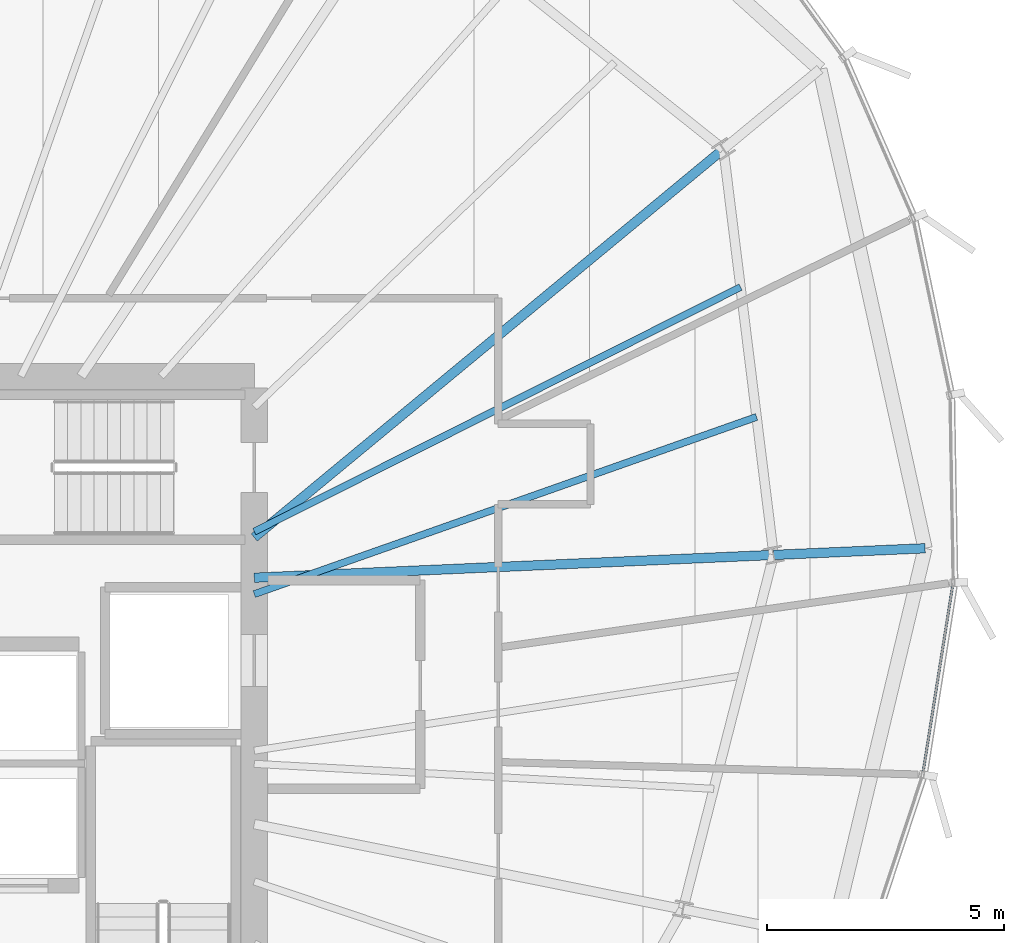
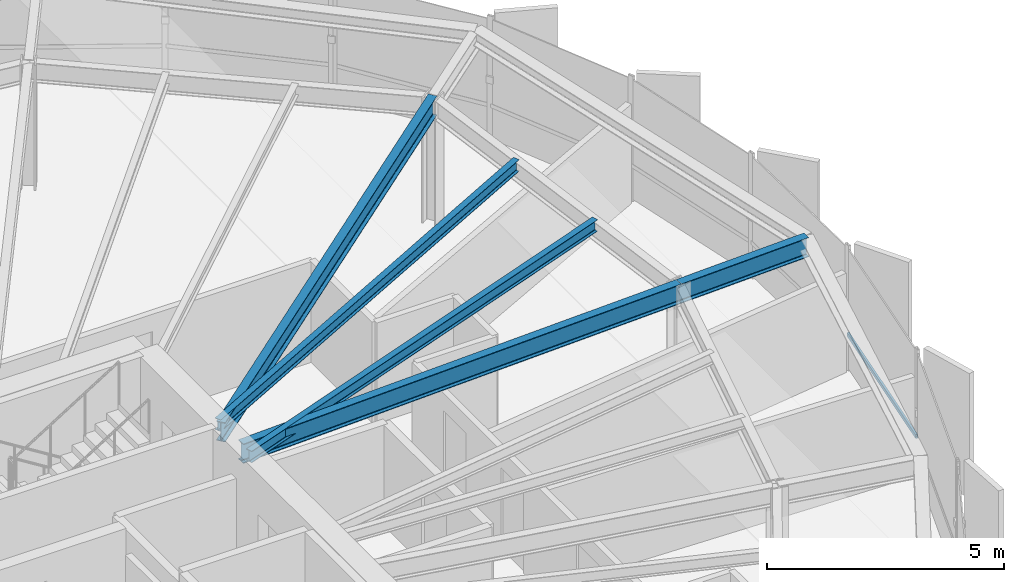
# One storey, part 17 of 35: 5 beams, 1 member, 1 element without a shape of its own.
"""IFC4 building model written with IfcOpenShell, lengths in metres."""

from ifc_helpers import new_model, si_unit, direction, frame, origin, origin_2d, place, context, subcontext, project, spatial, hollow_rectangle, i_section, extrude, source, transform, mapped, material, layer, layer_set, material_profile, profile_set, type_object, element, aggregate, save


model = new_model("IFC4")

# Units and contexts
model_context = context("Model", 3, precision=1e-05, world=origin(), true_north=direction((0.0, 1.0)))
body_context = subcontext(model_context, "Body", "Model", "MODEL_VIEW")
ifc_project = project(units=[si_unit("LENGTHUNIT", "METRE"), si_unit("AREAUNIT", "SQUARE_METRE"), si_unit("VOLUMEUNIT", "CUBIC_METRE"), si_unit("PLANEANGLEUNIT", "RADIAN"), si_unit("MASSUNIT", "GRAM", prefix="KILO"), si_unit("THERMODYNAMICTEMPERATUREUNIT", "KELVIN")], contexts=[model_context])

# Site, building, storey
site_placement = place(None, origin())
site = spatial("IfcSite", under=ifc_project, at=site_placement, CompositionType="ELEMENT")
building_placement = place(site_placement, origin())
building = spatial("IfcBuilding", under=site, at=building_placement, Name="Kethvar Cultural Tower", CompositionType="ELEMENT")
storey_placement = place(building_placement, frame((0.0, 0.0, 204.39990234375)))
storey = spatial("IfcBuildingStorey", under=building, at=storey_placement, Name="L53", CompositionType="ELEMENT", Elevation=204.39990234375)

# Beams
ifc_material_1 = material(Name="Steel S355J2", Category="steel")
ifc_material_profile_1 = material_profile(ifc_material_1, i_section(OverallWidth=0.199951171875, OverallDepth=0.5, WebThickness=0.01025390625, FlangeThickness=0.01611328125, FilletRadius=0.02099609375, at=origin_2d()), Name="Steel S355J2 — IPE500")
ifc_profile_set_1 = profile_set([ifc_material_profile_1], Name="Steel S355J2 — IPE500")
beam_type_1 = type_object("IfcBeamType", Name="BM-IPE500", PredefinedType="BEAM", material=ifc_profile_set_1)
shared_shape_1 = source(origin(), body_context, "Body", "SweptSolid", [
    extrude(i_section(OverallWidth=0.199951171875, OverallDepth=0.5, WebThickness=0.01025390625, FlangeThickness=0.01611328125, FilletRadius=0.02099609375, at=origin_2d()), origin(), (0.0, 0.0, 1.0), 10.974365234375),
])
beam_1_placement = place(storey_placement, frame((55.60009765625, 31.25, 3.008056640625), z_axis=(0.999038235064, 0.043847518511, 0.0), x_axis=(-0.043847518511, 0.999038235064, 0.0)))
element("IfcBeam", 1, at=beam_1_placement, inside=storey, type_object=beam_type_1, Name="L53 Primary Radial Beam RB-01", PredefinedType="BEAM", context=body_context, shape_type="MappedRepresentation", body=[
    mapped(shared_shape_1, transform((0.0, 0.0, 0.0), scale=1.0)),
])
shared_shape_2 = source(origin(), body_context, "Body", "SweptSolid", [
    extrude(i_section(OverallWidth=0.199951171875, OverallDepth=0.5, WebThickness=0.01025390625, FlangeThickness=0.01611328125, FilletRadius=0.02099609375, at=origin_2d()), origin(), (0.0, 0.0, 1.0), 3.2001953125),
])
beam_2_placement = place(storey_placement, frame((66.56396484375, 31.731201171875, 3.008056640625), z_axis=(0.999037352633, 0.043867619531, 0.0), x_axis=(-0.043867619531, 0.999037352633, 0.0)))
element("IfcBeam", 2, at=beam_2_placement, inside=storey, type_object=beam_type_1, Name="L53 Perimeter Cantilever Beam RC-01", PredefinedType="BEAM", context=body_context, shape_type="MappedRepresentation", body=[
    mapped(shared_shape_2, transform((0.0, 0.0, 0.0), scale=1.0)),
])
shared_shape_3 = source(origin(), body_context, "Body", "SweptSolid", [
    extrude(i_section(OverallWidth=0.199951171875, OverallDepth=0.5, WebThickness=0.01025390625, FlangeThickness=0.01611328125, FilletRadius=0.02099609375, at=origin_2d()), origin(), (0.0, 0.0, 1.0), 12.8564453125),
])
beam_3_placement = place(storey_placement, frame((55.60009765625, 32.10009765625, 3.008056640625), z_axis=(0.770354115625, 0.637616292561, 0.0), x_axis=(-0.637616292561, 0.770354115625, 0.0)))
element("IfcBeam", 3, at=beam_3_placement, inside=storey, type_object=beam_type_1, Name="L53 Primary Radial Beam RB-02", PredefinedType="BEAM", context=body_context, shape_type="MappedRepresentation", body=[
    mapped(shared_shape_3, transform((0.0, 0.0, 0.0), scale=1.0)),
])
ifc_material_profile_2 = material_profile(ifc_material_1, i_section(OverallWidth=0.14990234375, OverallDepth=0.300048828125, WebThickness=0.007080078125, FlangeThickness=0.0107421875, FilletRadius=0.014892578125, at=origin_2d()), Name="Steel S355J2 — IPE300")
ifc_profile_set_2 = profile_set([ifc_material_profile_2], Name="Steel S355J2 — IPE300")
beam_type_2 = type_object("IfcBeamType", Name="BM-J300", PredefinedType="JOIST", material=ifc_profile_set_2)
shared_shape_4 = source(origin(), body_context, "Body", "SweptSolid", [
    extrude(i_section(OverallWidth=0.14990234375, OverallDepth=0.300048828125, WebThickness=0.007080078125, FlangeThickness=0.0107421875, FilletRadius=0.014892578125, at=origin_2d()), origin(), (0.0, 0.0, 1.0), 11.24365234375),
])
beam_4_placement = place(storey_placement, frame((55.60009765625, 30.90380859375, 3.108154296875), z_axis=(0.943058059975, 0.332628164044, 0.0), x_axis=(-0.332628164044, 0.943058059975, 0.0)))
element("IfcBeam", 4, at=beam_4_placement, inside=storey, type_object=beam_type_2, Name="L53 Composite Floor Joist J-01A", PredefinedType="JOIST", context=body_context, shape_type="MappedRepresentation", body=[
    mapped(shared_shape_4, transform((0.0, 0.0, 0.0), scale=1.0)),
])
shared_shape_5 = source(origin(), body_context, "Body", "SweptSolid", [
    extrude(i_section(OverallWidth=0.14990234375, OverallDepth=0.300048828125, WebThickness=0.007080078125, FlangeThickness=0.0107421875, FilletRadius=0.014892578125, at=origin_2d()), origin(), (0.0, 0.0, 1.0), 11.48876953125),
])
beam_5_placement = place(storey_placement, frame((55.60009765625, 32.224365234375, 3.108154296875), z_axis=(0.893434724969, 0.449193045605, 0.0), x_axis=(-0.449193045605, 0.893434724969, 0.0)))
element("IfcBeam", 5, at=beam_5_placement, inside=storey, type_object=beam_type_2, Name="L53 Composite Floor Joist J-01B", PredefinedType="JOIST", context=body_context, shape_type="MappedRepresentation", body=[
    mapped(shared_shape_5, transform((0.0, 0.0, 0.0), scale=1.0)),
])

# Curtain wall, member
ifc_material_2 = material(Name="Aluminium 6063-T6", Category="aluminium")
ifc_layer = layer(ifc_material_2, 0.179931640625, Name="Aluminium 6063-T6", Category="aluminium")
ifc_layer_set = layer_set([ifc_layer], Name="Aluminium 6063-T6 (180 mm)")
curtain_wall_type = type_object("IfcCurtainWallType", Name="CW-SYS-04-Z34", PredefinedType="NOTDEFINED", material=ifc_layer_set)
curtain_wall_placement = place(storey_placement, origin())
curtain_wall = element("IfcCurtainWall", 6, at=curtain_wall_placement, inside=storey, type_object=curtain_wall_type, Name="L53 Curtain Wall Run 06", PredefinedType="NOTDEFINED")
ifc_material_profile_3 = material_profile(ifc_material_2, hollow_rectangle(XDim=0.050048828125, YDim=0.10009765625, WallThickness=0.00390625, at=origin_2d()), Name="Aluminium 6063-T6 — RHS100x50x4")
ifc_profile_set_3 = profile_set([ifc_material_profile_3], Name="Aluminium 6063-T6 — RHS100x50x4")
member_type = type_object("IfcMemberType", Name="CW-SYS-04-Z34-TRN", PredefinedType="USERDEFINED", material=ifc_profile_set_3)
shared_shape_6 = source(origin(), body_context, "Body", "SweptSolid", [
    extrude(hollow_rectangle(XDim=0.050048828125, YDim=0.10009765625, WallThickness=0.00390625, at=origin_2d()), origin(), (0.0, 0.0, 1.0), 4.0380859375),
])
member_placement = place(storey_placement, frame((69.716796875, 27.135498046875, 0.9501953125), z_axis=(0.156412747015, 0.987691780148, 0.0), x_axis=(-0.987691780148, 0.156412747015, 0.0)))
member = element("IfcMember", 7, at=member_placement, type_object=member_type, Name="CW-L53-R06 Transom 2", ObjectType="TRANSOM", PredefinedType="USERDEFINED", context=body_context, shape_type="MappedRepresentation", body=[
    mapped(shared_shape_6, transform((0.0, 0.0, 0.0), scale=1.0)),
])
aggregate(curtain_wall, [member])

save(model, "model.ifc")
